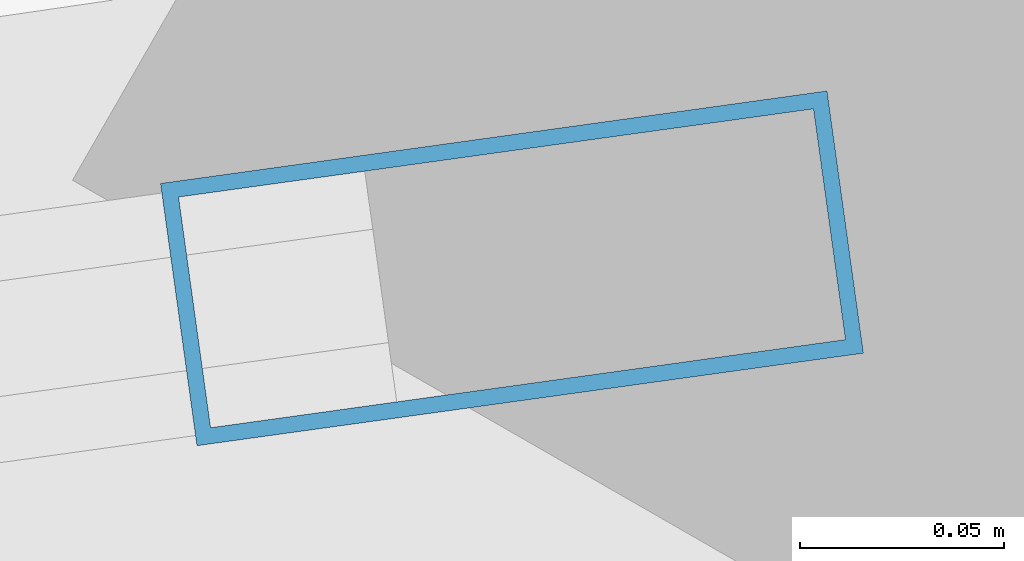
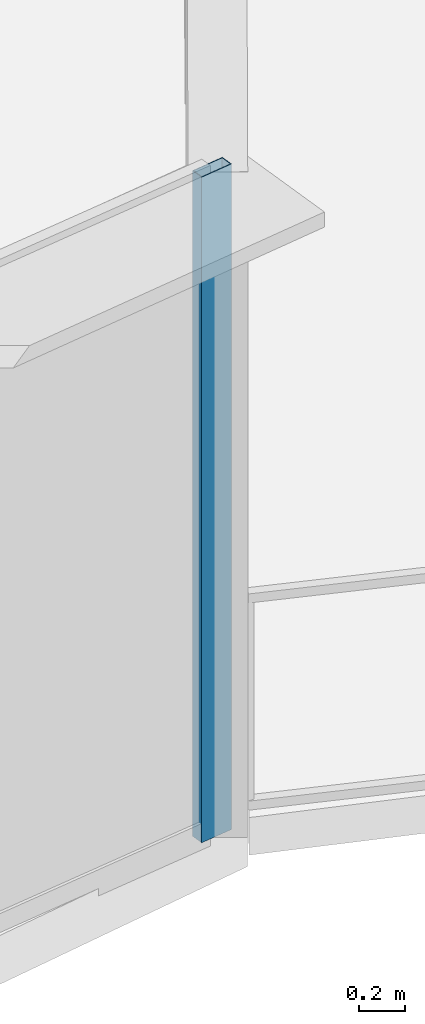
# One storey, part 20 of 37: 1 member, 1 element without a shape of its own.
"""IFC4 building model written with IfcOpenShell, lengths in metres."""

from ifc_helpers import new_model, si_unit, direction, frame, origin, origin_2d, place, context, subcontext, project, spatial, hollow_rectangle, extrude, source, transform, mapped, material, layer, layer_set, material_profile, profile_set, type_object, element, aggregate, save


model = new_model("IFC4")

# Units and contexts
model_context = context("Model", 3, precision=1e-05, world=origin(), true_north=direction((0.0, 1.0)))
body_context = subcontext(model_context, "Body", "Model", "MODEL_VIEW")
ifc_project = project(units=[si_unit("LENGTHUNIT", "METRE"), si_unit("AREAUNIT", "SQUARE_METRE"), si_unit("VOLUMEUNIT", "CUBIC_METRE"), si_unit("PLANEANGLEUNIT", "RADIAN"), si_unit("MASSUNIT", "GRAM", prefix="KILO"), si_unit("THERMODYNAMICTEMPERATUREUNIT", "KELVIN"), si_unit("POWERUNIT", "WATT")], contexts=[model_context])

# Site, building, storey
site_placement = place(None, origin())
site = spatial("IfcSite", under=ifc_project, at=site_placement, CompositionType="ELEMENT")
building_placement = place(site_placement, origin())
building = spatial("IfcBuilding", under=site, at=building_placement, Name="Yunzhuo Pagoda Commons", CompositionType="ELEMENT")
storey_placement = place(building_placement, frame((0.0, 0.0, 88.780029296875)))
storey = spatial("IfcBuildingStorey", under=building, at=storey_placement, Name="L22", CompositionType="ELEMENT", Elevation=88.780029296875)

# Curtain wall, member
ifc_material = material(Name="Anodized aluminium 6063-T6", Category="aluminium")
ifc_layer = layer(ifc_material, 0.1650390625)
ifc_layer_set = layer_set([ifc_layer], Name="Anodized aluminium 6063-T6")
curtain_wall_type = type_object("IfcCurtainWallType", Name="CW-LOW Low-Zone Ribbon Curtain Wall", PredefinedType="NOTDEFINED", material=ifc_layer_set)
curtain_wall_placement = place(storey_placement, origin())
curtain_wall = element("IfcCurtainWall", 1, at=curtain_wall_placement, inside=storey, type_object=curtain_wall_type, Name="L22 curtain wall CW-L22-F1B5", PredefinedType="NOTDEFINED")
ifc_material_profile = material_profile(ifc_material, hollow_rectangle(XDim=0.06494140625, YDim=0.1650390625, WallThickness=0.00390625, at=origin_2d()), Name="Anodized aluminium 6063-T6")
ifc_profile_set = profile_set([ifc_material_profile], Name="Anodized aluminium 6063-T6")
member_type = type_object("IfcMemberType", Name="CW-LOW-M Mullion RHS 165x65x4", PredefinedType="MULLION", material=ifc_profile_set)
shared_shape = source(origin(), body_context, "Body", "SweptSolid", [
    extrude(hollow_rectangle(XDim=0.06494140625, YDim=0.1650390625, WallThickness=0.00390625, at=origin_2d()), origin(), (0.0, 0.0, 1.0), 3.5400390625),
])
member_placement = place(storey_placement, frame((85.505126953125, 15.00634765625, 0.0), z_axis=(0.0, 0.0, 1.0), x_axis=(-0.137495700118, 0.990502363677, 0.0)))
member = element("IfcMember", 2, at=member_placement, type_object=member_type, Name="CW mullion 2", PredefinedType="MULLION", context=body_context, shape_type="MappedRepresentation", body=[
    mapped(shared_shape, transform((0.0, 0.0, 0.0), scale=1.0)),
])
aggregate(curtain_wall, [member])

save(model, "model.ifc")
